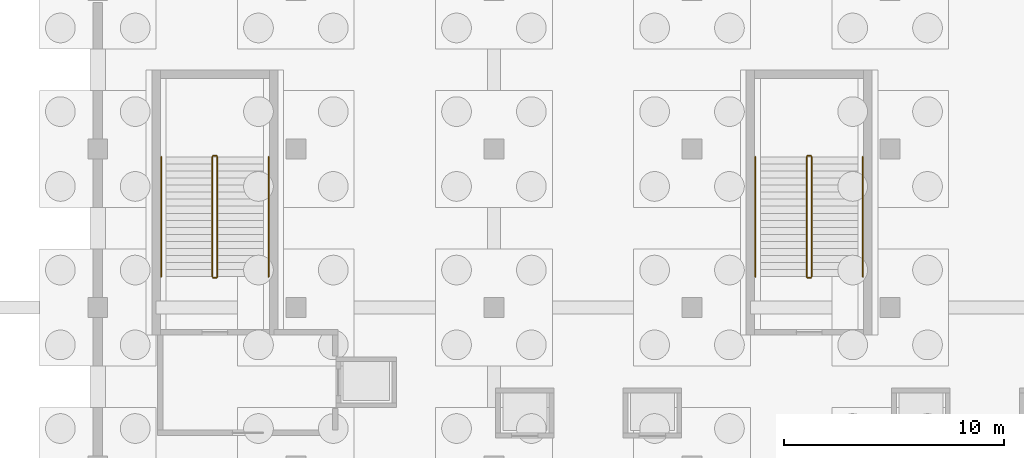
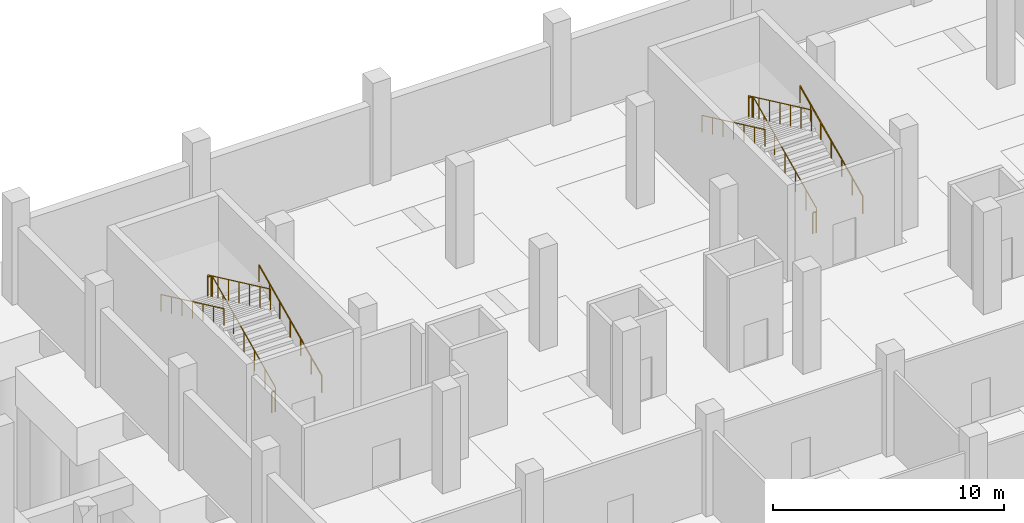
# One storey, part 36 of 39: 12 railings.
"""IFC4 building model written with IfcOpenShell, lengths in metres."""

from ifc_helpers import new_model, si_unit, direction, frame, origin, origin_2d, place, context, subcontext, project, spatial, circle, extrude, material, layer, layer_set, type_object, element, save


model = new_model("IFC4")

# Units and contexts
model_context = context("Model", 3, precision=1e-05, world=origin(), true_north=direction((0.0, 1.0)))
body_context = subcontext(model_context, "Body", "Model", "MODEL_VIEW")
ifc_project = project(units=[si_unit("LENGTHUNIT", "METRE"), si_unit("AREAUNIT", "SQUARE_METRE"), si_unit("VOLUMEUNIT", "CUBIC_METRE"), si_unit("PLANEANGLEUNIT", "RADIAN"), si_unit("MASSUNIT", "GRAM", prefix="KILO")], contexts=[model_context])

# Site, building, storey
site_placement = place(None, origin())
site = spatial("IfcSite", under=ifc_project, at=site_placement, CompositionType="ELEMENT")
building_placement = place(site_placement, origin())
building = spatial("IfcBuilding", under=site, at=building_placement, Name="Celestram Park Convention Centre", CompositionType="ELEMENT")
storey_placement = place(building_placement, frame((0.0, 0.0, -5.39990234375)))
storey = spatial("IfcBuildingStorey", under=building, at=storey_placement, Name="B1", CompositionType="ELEMENT", Elevation=-5.39990234375)

# Railings
ifc_material_1 = material(Name="Stainless Steel AISI 316L & Laminated Glass", Category="steel")
ifc_layer_1 = layer(ifc_material_1, 0.06005859375)
ifc_layer_set_1 = layer_set([ifc_layer_1], Name="Stainless Steel AISI 316L & Laminated Glass")
railing_type_1 = type_object("IfcRailingType", Name="ARC-RL-GRD1120", PredefinedType="GUARDRAIL", material=ifc_layer_set_1)
railing_1_placement = place(storey_placement, frame((41.43603515625, 152.60009765625, 0.14990234375)))
element("IfcRailing", 1, at=railing_1_placement, inside=storey, type_object=railing_type_1, Name="B1 ST-01 stair guard 1", PredefinedType="GUARDRAIL", context=body_context, shape_type="SweptSolid", body=[
    extrude(circle(Radius=0.02392578125, at=origin_2d()), frame((0.0, 0.0, 1.09619140625), z_axis=(0.0, 0.90545405566, 0.424444287379), x_axis=(-1.0, 0.0, 0.0)), (0.0, 0.0, 1.0), 6.008056640625),
    extrude(circle(Radius=0.02099609375, at=origin_2d()), origin(), (0.0, 0.0, 1.0), 1.072021484375),
    extrude(circle(Radius=0.02099609375, at=origin_2d()), frame((0.0, 0.90673828125, 0.425048828125)), (0.0, 0.0, 1.0), 1.072021484375),
    extrude(circle(Radius=0.02099609375, at=origin_2d()), frame((0.0, 1.813232421875, 0.85009765625)), (0.0, 0.0, 1.0), 1.072021484375),
    extrude(circle(Radius=0.02099609375, at=origin_2d()), frame((0.0, 2.719970703125, 1.27490234375)), (0.0, 0.0, 1.0), 1.072021484375),
    extrude(circle(Radius=0.02099609375, at=origin_2d()), frame((0.0, 3.626708984375, 1.699951171875)), (0.0, 0.0, 1.0), 1.072021484375),
    extrude(circle(Radius=0.02099609375, at=origin_2d()), frame((0.0, 4.533203125, 2.125)), (0.0, 0.0, 1.0), 1.072021484375),
    extrude(circle(Radius=0.02099609375, at=origin_2d()), frame((0.0, 5.43994140625, 2.550048828125)), (0.0, 0.0, 1.0), 1.072021484375),
])
railing_2_placement = place(storey_placement, frame((41.39990234375, 158.090087890625, 2.699951171875)))
element("IfcRailing", 2, at=railing_2_placement, inside=storey, type_object=railing_type_1, Name="B1 ST-01 stair guard 2", PredefinedType="GUARDRAIL", context=body_context, shape_type="SweptSolid", body=[
    extrude(circle(Radius=0.02392578125, at=origin_2d()), frame((0.0, 0.0, 1.09619140625), z_axis=(-1.0, 0.0, 0.0), x_axis=(0.0, -1.0, 0.0)), (0.0, 0.0, 1.0), 0.159912109375),
    extrude(circle(Radius=0.02099609375, at=origin_2d()), origin(), (0.0, 0.0, 1.0), 1.072021484375),
    extrude(circle(Radius=0.02099609375, at=origin_2d()), frame((-0.159912109375, 0.0, 0.0)), (0.0, 0.0, 1.0), 1.072021484375),
])
railing_3_placement = place(storey_placement, frame((41.2041015625, 158.0400390625, 2.849853515625)))
element("IfcRailing", 3, at=railing_3_placement, inside=storey, type_object=railing_type_1, Name="B1 ST-01 stair guard 3", PredefinedType="GUARDRAIL", context=body_context, shape_type="SweptSolid", body=[
    extrude(circle(Radius=0.02392578125, at=origin_2d()), frame((0.0, 0.0, 1.09619140625), z_axis=(0.0, -0.90545405566, 0.424444287379), x_axis=(1.0, 0.0, 0.0)), (0.0, 0.0, 1.0), 6.008056640625),
    extrude(circle(Radius=0.02099609375, at=origin_2d()), origin(), (0.0, 0.0, 1.0), 1.072021484375),
    extrude(circle(Radius=0.02099609375, at=origin_2d()), frame((0.0, -0.90673828125, 0.425048828125)), (0.0, 0.0, 1.0), 1.072021484375),
    extrude(circle(Radius=0.02099609375, at=origin_2d()), frame((0.0, -1.813232421875, 0.85009765625)), (0.0, 0.0, 1.0), 1.072021484375),
    extrude(circle(Radius=0.02099609375, at=origin_2d()), frame((0.0, -2.719970703125, 1.27490234375)), (0.0, 0.0, 1.0), 1.072021484375),
    extrude(circle(Radius=0.02099609375, at=origin_2d()), frame((0.0, -3.626708984375, 1.699951171875)), (0.0, 0.0, 1.0), 1.072021484375),
    extrude(circle(Radius=0.02099609375, at=origin_2d()), frame((0.0, -4.533203125, 2.125)), (0.0, 0.0, 1.0), 1.072021484375),
    extrude(circle(Radius=0.02099609375, at=origin_2d()), frame((0.0, -5.43994140625, 2.550048828125)), (0.0, 0.0, 1.0), 1.072021484375),
])
railing_4_placement = place(storey_placement, frame((41.39990234375, 152.550048828125, 0.0)))
element("IfcRailing", 4, at=railing_4_placement, inside=storey, type_object=railing_type_1, Name="B1 ST-01 stair guard 4", PredefinedType="GUARDRAIL", context=body_context, shape_type="SweptSolid", body=[
    extrude(circle(Radius=0.02392578125, at=origin_2d()), frame((0.0, 0.0, 1.09619140625), z_axis=(-1.0, 0.0, 0.0), x_axis=(0.0, -1.0, 0.0)), (0.0, 0.0, 1.0), 0.159912109375),
    extrude(circle(Radius=0.02099609375, at=origin_2d()), origin(), (0.0, 0.0, 1.0), 1.072021484375),
    extrude(circle(Radius=0.02099609375, at=origin_2d()), frame((-0.159912109375, 0.0, 0.0)), (0.0, 0.0, 1.0), 1.072021484375),
])
railing_5_placement = place(storey_placement, frame((68.43603515625, 152.60009765625, 0.14990234375)))
element("IfcRailing", 5, at=railing_5_placement, inside=storey, type_object=railing_type_1, Name="B1 ST-14 stair guard 1", PredefinedType="GUARDRAIL", context=body_context, shape_type="SweptSolid", body=[
    extrude(circle(Radius=0.02392578125, at=origin_2d()), frame((0.0, 0.0, 1.09619140625), z_axis=(0.0, 0.90545405566, 0.424444287379), x_axis=(-1.0, 0.0, 0.0)), (0.0, 0.0, 1.0), 6.008056640625),
    extrude(circle(Radius=0.02099609375, at=origin_2d()), origin(), (0.0, 0.0, 1.0), 1.072021484375),
    extrude(circle(Radius=0.02099609375, at=origin_2d()), frame((0.0, 0.90673828125, 0.425048828125)), (0.0, 0.0, 1.0), 1.072021484375),
    extrude(circle(Radius=0.02099609375, at=origin_2d()), frame((0.0, 1.813232421875, 0.85009765625)), (0.0, 0.0, 1.0), 1.072021484375),
    extrude(circle(Radius=0.02099609375, at=origin_2d()), frame((0.0, 2.719970703125, 1.27490234375)), (0.0, 0.0, 1.0), 1.072021484375),
    extrude(circle(Radius=0.02099609375, at=origin_2d()), frame((0.0, 3.626708984375, 1.699951171875)), (0.0, 0.0, 1.0), 1.072021484375),
    extrude(circle(Radius=0.02099609375, at=origin_2d()), frame((0.0, 4.533203125, 2.125)), (0.0, 0.0, 1.0), 1.072021484375),
    extrude(circle(Radius=0.02099609375, at=origin_2d()), frame((0.0, 5.43994140625, 2.550048828125)), (0.0, 0.0, 1.0), 1.072021484375),
])
railing_6_placement = place(storey_placement, frame((68.39990234375, 158.090087890625, 2.699951171875)))
element("IfcRailing", 6, at=railing_6_placement, inside=storey, type_object=railing_type_1, Name="B1 ST-14 stair guard 2", PredefinedType="GUARDRAIL", context=body_context, shape_type="SweptSolid", body=[
    extrude(circle(Radius=0.02392578125, at=origin_2d()), frame((0.0, 0.0, 1.09619140625), z_axis=(-1.0, 0.0, 0.0), x_axis=(0.0, -1.0, 0.0)), (0.0, 0.0, 1.0), 0.159912109375),
    extrude(circle(Radius=0.02099609375, at=origin_2d()), origin(), (0.0, 0.0, 1.0), 1.072021484375),
    extrude(circle(Radius=0.02099609375, at=origin_2d()), frame((-0.159912109375, 0.0, 0.0)), (0.0, 0.0, 1.0), 1.072021484375),
])
railing_7_placement = place(storey_placement, frame((68.2041015625, 158.0400390625, 2.849853515625)))
element("IfcRailing", 7, at=railing_7_placement, inside=storey, type_object=railing_type_1, Name="B1 ST-14 stair guard 3", PredefinedType="GUARDRAIL", context=body_context, shape_type="SweptSolid", body=[
    extrude(circle(Radius=0.02392578125, at=origin_2d()), frame((0.0, 0.0, 1.09619140625), z_axis=(0.0, -0.90545405566, 0.424444287379), x_axis=(1.0, 0.0, 0.0)), (0.0, 0.0, 1.0), 6.008056640625),
    extrude(circle(Radius=0.02099609375, at=origin_2d()), origin(), (0.0, 0.0, 1.0), 1.072021484375),
    extrude(circle(Radius=0.02099609375, at=origin_2d()), frame((0.0, -0.90673828125, 0.425048828125)), (0.0, 0.0, 1.0), 1.072021484375),
    extrude(circle(Radius=0.02099609375, at=origin_2d()), frame((0.0, -1.813232421875, 0.85009765625)), (0.0, 0.0, 1.0), 1.072021484375),
    extrude(circle(Radius=0.02099609375, at=origin_2d()), frame((0.0, -2.719970703125, 1.27490234375)), (0.0, 0.0, 1.0), 1.072021484375),
    extrude(circle(Radius=0.02099609375, at=origin_2d()), frame((0.0, -3.626708984375, 1.699951171875)), (0.0, 0.0, 1.0), 1.072021484375),
    extrude(circle(Radius=0.02099609375, at=origin_2d()), frame((0.0, -4.533203125, 2.125)), (0.0, 0.0, 1.0), 1.072021484375),
    extrude(circle(Radius=0.02099609375, at=origin_2d()), frame((0.0, -5.43994140625, 2.550048828125)), (0.0, 0.0, 1.0), 1.072021484375),
])
railing_8_placement = place(storey_placement, frame((68.39990234375, 152.550048828125, 0.0)))
element("IfcRailing", 8, at=railing_8_placement, inside=storey, type_object=railing_type_1, Name="B1 ST-14 stair guard 4", PredefinedType="GUARDRAIL", context=body_context, shape_type="SweptSolid", body=[
    extrude(circle(Radius=0.02392578125, at=origin_2d()), frame((0.0, 0.0, 1.09619140625), z_axis=(-1.0, 0.0, 0.0), x_axis=(0.0, -1.0, 0.0)), (0.0, 0.0, 1.0), 0.159912109375),
    extrude(circle(Radius=0.02099609375, at=origin_2d()), origin(), (0.0, 0.0, 1.0), 1.072021484375),
    extrude(circle(Radius=0.02099609375, at=origin_2d()), frame((-0.159912109375, 0.0, 0.0)), (0.0, 0.0, 1.0), 1.072021484375),
])
ifc_material_2 = material(Name="Brushed Stainless Steel AISI 304", Category="steel")
ifc_layer_2 = layer(ifc_material_2, 0.048095703125)
ifc_layer_set_2 = layer_set([ifc_layer_2], Name="Brushed Stainless Steel AISI 304")
railing_type_2 = type_object("IfcRailingType", Name="ARC-RL-HND915", PredefinedType="HANDRAIL", material=ifc_layer_set_2)
railing_9_placement = place(storey_placement, frame((43.763916015625, 152.60009765625, 0.14990234375)))
element("IfcRailing", 9, at=railing_9_placement, inside=storey, type_object=railing_type_2, Name="B1 ST-01 stair handrail 1", PredefinedType="HANDRAIL", context=body_context, shape_type="SweptSolid", body=[
    extrude(circle(Radius=0.02392578125, at=origin_2d()), frame((0.0, 0.0, 0.8759765625), z_axis=(0.0, 0.90545405566, 0.424444287379), x_axis=(-1.0, 0.0, 0.0)), (0.0, 0.0, 1.0), 6.008056640625),
    extrude(circle(Radius=0.02099609375, at=origin_2d()), origin(), (0.0, 0.0, 1.0), 0.851806640625),
    extrude(circle(Radius=0.02099609375, at=origin_2d()), frame((0.0, 0.90673828125, 0.425048828125)), (0.0, 0.0, 1.0), 0.851806640625),
    extrude(circle(Radius=0.02099609375, at=origin_2d()), frame((0.0, 1.813232421875, 0.85009765625)), (0.0, 0.0, 1.0), 0.851806640625),
    extrude(circle(Radius=0.02099609375, at=origin_2d()), frame((0.0, 2.719970703125, 1.27490234375)), (0.0, 0.0, 1.0), 0.851806640625),
    extrude(circle(Radius=0.02099609375, at=origin_2d()), frame((0.0, 3.626708984375, 1.699951171875)), (0.0, 0.0, 1.0), 0.851806640625),
    extrude(circle(Radius=0.02099609375, at=origin_2d()), frame((0.0, 4.533203125, 2.125)), (0.0, 0.0, 1.0), 0.851806640625),
    extrude(circle(Radius=0.02099609375, at=origin_2d()), frame((0.0, 5.43994140625, 2.550048828125)), (0.0, 0.0, 1.0), 0.851806640625),
])
railing_10_placement = place(storey_placement, frame((38.8759765625, 158.0400390625, 2.849853515625)))
element("IfcRailing", 10, at=railing_10_placement, inside=storey, type_object=railing_type_2, Name="B1 ST-01 stair handrail 2", PredefinedType="HANDRAIL", context=body_context, shape_type="SweptSolid", body=[
    extrude(circle(Radius=0.02392578125, at=origin_2d()), frame((0.0, 0.0, 0.8759765625), z_axis=(0.0, -0.90545405566, 0.424444287379), x_axis=(1.0, 0.0, 0.0)), (0.0, 0.0, 1.0), 6.008056640625),
    extrude(circle(Radius=0.02099609375, at=origin_2d()), origin(), (0.0, 0.0, 1.0), 0.851806640625),
    extrude(circle(Radius=0.02099609375, at=origin_2d()), frame((0.0, -0.90673828125, 0.425048828125)), (0.0, 0.0, 1.0), 0.851806640625),
    extrude(circle(Radius=0.02099609375, at=origin_2d()), frame((0.0, -1.813232421875, 0.85009765625)), (0.0, 0.0, 1.0), 0.851806640625),
    extrude(circle(Radius=0.02099609375, at=origin_2d()), frame((0.0, -2.719970703125, 1.27490234375)), (0.0, 0.0, 1.0), 0.851806640625),
    extrude(circle(Radius=0.02099609375, at=origin_2d()), frame((0.0, -3.626708984375, 1.699951171875)), (0.0, 0.0, 1.0), 0.851806640625),
    extrude(circle(Radius=0.02099609375, at=origin_2d()), frame((0.0, -4.533203125, 2.125)), (0.0, 0.0, 1.0), 0.851806640625),
    extrude(circle(Radius=0.02099609375, at=origin_2d()), frame((0.0, -5.43994140625, 2.550048828125)), (0.0, 0.0, 1.0), 0.851806640625),
])
railing_11_placement = place(storey_placement, frame((70.763916015625, 152.60009765625, 0.14990234375)))
element("IfcRailing", 11, at=railing_11_placement, inside=storey, type_object=railing_type_2, Name="B1 ST-14 stair handrail 1", PredefinedType="HANDRAIL", context=body_context, shape_type="SweptSolid", body=[
    extrude(circle(Radius=0.02392578125, at=origin_2d()), frame((0.0, 0.0, 0.8759765625), z_axis=(0.0, 0.90545405566, 0.424444287379), x_axis=(-1.0, 0.0, 0.0)), (0.0, 0.0, 1.0), 6.008056640625),
    extrude(circle(Radius=0.02099609375, at=origin_2d()), origin(), (0.0, 0.0, 1.0), 0.851806640625),
    extrude(circle(Radius=0.02099609375, at=origin_2d()), frame((0.0, 0.90673828125, 0.425048828125)), (0.0, 0.0, 1.0), 0.851806640625),
    extrude(circle(Radius=0.02099609375, at=origin_2d()), frame((0.0, 1.813232421875, 0.85009765625)), (0.0, 0.0, 1.0), 0.851806640625),
    extrude(circle(Radius=0.02099609375, at=origin_2d()), frame((0.0, 2.719970703125, 1.27490234375)), (0.0, 0.0, 1.0), 0.851806640625),
    extrude(circle(Radius=0.02099609375, at=origin_2d()), frame((0.0, 3.626708984375, 1.699951171875)), (0.0, 0.0, 1.0), 0.851806640625),
    extrude(circle(Radius=0.02099609375, at=origin_2d()), frame((0.0, 4.533203125, 2.125)), (0.0, 0.0, 1.0), 0.851806640625),
    extrude(circle(Radius=0.02099609375, at=origin_2d()), frame((0.0, 5.43994140625, 2.550048828125)), (0.0, 0.0, 1.0), 0.851806640625),
])
railing_12_placement = place(storey_placement, frame((65.8759765625, 158.0400390625, 2.849853515625)))
element("IfcRailing", 12, at=railing_12_placement, inside=storey, type_object=railing_type_2, Name="B1 ST-14 stair handrail 2", PredefinedType="HANDRAIL", context=body_context, shape_type="SweptSolid", body=[
    extrude(circle(Radius=0.02392578125, at=origin_2d()), frame((0.0, 0.0, 0.8759765625), z_axis=(0.0, -0.90545405566, 0.424444287379), x_axis=(1.0, 0.0, 0.0)), (0.0, 0.0, 1.0), 6.008056640625),
    extrude(circle(Radius=0.02099609375, at=origin_2d()), origin(), (0.0, 0.0, 1.0), 0.851806640625),
    extrude(circle(Radius=0.02099609375, at=origin_2d()), frame((0.0, -0.90673828125, 0.425048828125)), (0.0, 0.0, 1.0), 0.851806640625),
    extrude(circle(Radius=0.02099609375, at=origin_2d()), frame((0.0, -1.813232421875, 0.85009765625)), (0.0, 0.0, 1.0), 0.851806640625),
    extrude(circle(Radius=0.02099609375, at=origin_2d()), frame((0.0, -2.719970703125, 1.27490234375)), (0.0, 0.0, 1.0), 0.851806640625),
    extrude(circle(Radius=0.02099609375, at=origin_2d()), frame((0.0, -3.626708984375, 1.699951171875)), (0.0, 0.0, 1.0), 0.851806640625),
    extrude(circle(Radius=0.02099609375, at=origin_2d()), frame((0.0, -4.533203125, 2.125)), (0.0, 0.0, 1.0), 0.851806640625),
    extrude(circle(Radius=0.02099609375, at=origin_2d()), frame((0.0, -5.43994140625, 2.550048828125)), (0.0, 0.0, 1.0), 0.851806640625),
])

save(model, "model.ifc")
